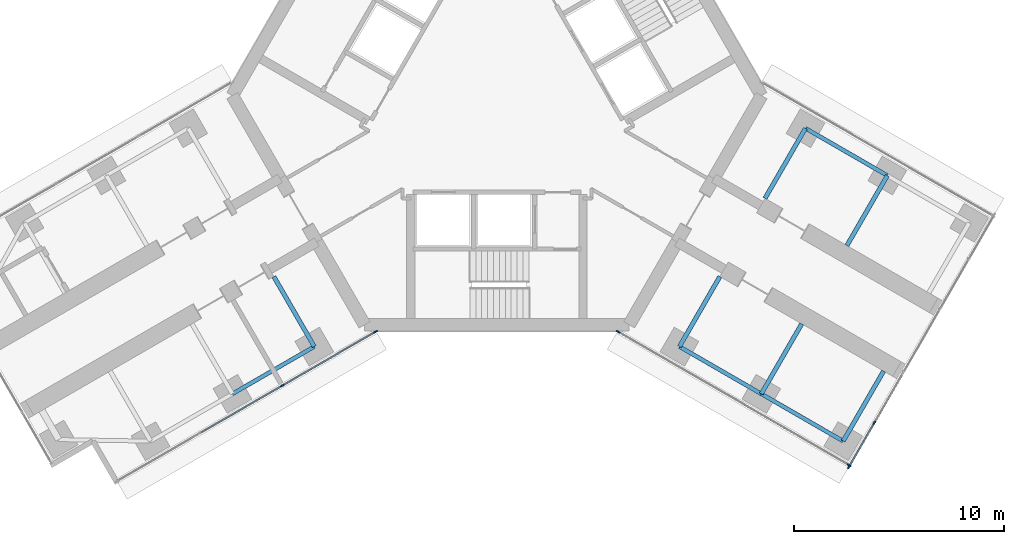
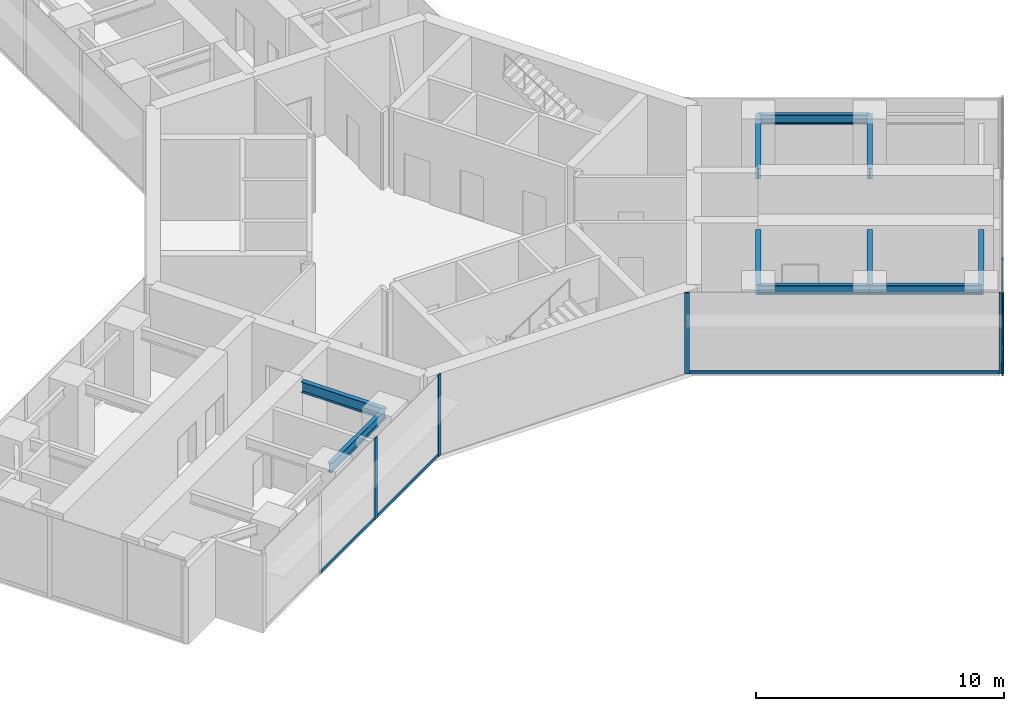
# One storey, part 8 of 21: 11 members, 10 beams, 3 elements without a shape of their own.
"""IFC4 building model written with IfcOpenShell, lengths in metres."""

from ifc_helpers import new_model, si_unit, direction, frame, origin, origin_2d, place, context, subcontext, project, spatial, rectangle, i_section, extrude, material, material_profile, profile_set, type_object, element, aggregate, save


model = new_model("IFC4")

# Units and contexts
model_context = context("Model", 3, precision=1e-05, world=origin(), true_north=direction((0.0, 1.0)))
body_context = subcontext(model_context, "Body", "Model", "MODEL_VIEW")
ifc_project = project(units=[si_unit("LENGTHUNIT", "METRE"), si_unit("AREAUNIT", "SQUARE_METRE"), si_unit("VOLUMEUNIT", "CUBIC_METRE"), si_unit("PLANEANGLEUNIT", "RADIAN"), si_unit("MASSUNIT", "GRAM", prefix="KILO")], contexts=[model_context])

# Site, building, storey
site_placement = place(None, origin())
site = spatial("IfcSite", under=ifc_project, at=site_placement, CompositionType="ELEMENT")
building_placement = place(site_placement, origin())
building = spatial("IfcBuilding", under=site, at=building_placement, Name="Upepo Twin Towers", CompositionType="ELEMENT")
storey_placement = place(building_placement, frame((0.0, 0.0, 101.5)))
storey = spatial("IfcBuildingStorey", under=building, at=storey_placement, Name="L24", CompositionType="ELEMENT", Elevation=101.5)

# Beams
ifc_material_1 = material(Name="Steel S355", Category="steel")
ifc_material_profile_1 = material_profile(ifc_material_1, i_section(OverallWidth=0.1904296875, OverallDepth=0.45703125, WebThickness=0.009033203125, FlangeThickness=0.014404296875, FilletRadius=0.01025390625, at=origin_2d()), Name="UB 457x191x74")
ifc_profile_set_1 = profile_set([ifc_material_profile_1], Name="Steel S355")
beam_type_1 = type_object("IfcBeamType", Name="Beam UB 457x191x74", PredefinedType="BEAM", material=ifc_profile_set_1)
for number, where, z_axis, x_axis, name in (
    (1, (49.80859375, -29.946044921875, 3.571533203125), (-0.866017533419, -0.500013631625, 0.0), (0.500013631625, -0.866017533419, 0.0), "T2 edge beam BL 13.5-18.0"),
    (2, (73.19140625, -19.553955078125, 3.571533203125), (0.866017533419, -0.500013631625, 0.0), (0.500013631625, 0.866017533419, 0.0), "T2 edge beam CL 13.5-18.0"),
    (3, (67.19140625, -29.946044921875, 3.571533203125), (0.866017533419, -0.500013631625, 0.0), (0.500013631625, 0.866017533419, 0.0), "T2 edge beam CR 13.5-18.0"),
):
    element("IfcBeam", number, at=place(storey_placement, frame(where, z_axis=z_axis, x_axis=x_axis)), inside=storey, type_object=beam_type_1, Name=name, PredefinedType="BEAM", context=body_context, shape_type="SweptSolid", body=[
        extrude(i_section(OverallWidth=0.1904296875, OverallDepth=0.45703125, WebThickness=0.009033203125, FlangeThickness=0.014404296875, FilletRadius=0.01025390625, at=origin_2d()), origin(), (0.0, 0.0, 1.0), 4.499755859375),
    ])
beam_1_placement = place(storey_placement, frame((71.08837890625, -32.196044921875, 3.571533203125), z_axis=(0.866031096941, -0.499990139034, 0.0), x_axis=(0.499990139034, 0.866031096941, 0.0)))
element("IfcBeam", 4, at=beam_1_placement, inside=storey, type_object=beam_type_1, Name="T2 edge beam CR 18.0-22.5", PredefinedType="BEAM", context=body_context, shape_type="SweptSolid", body=[
    extrude(i_section(OverallWidth=0.1904296875, OverallDepth=0.45703125, WebThickness=0.009033203125, FlangeThickness=0.014404296875, FilletRadius=0.01025390625, at=origin_2d()), origin(), (0.0, 0.0, 1.0), 4.5),
])
ifc_material_2 = material(Name="Steel S355", Category="steel")
ifc_material_profile_2 = material_profile(ifc_material_2, i_section(OverallWidth=0.209228515625, OverallDepth=0.533203125, WebThickness=0.010009765625, FlangeThickness=0.015625, FilletRadius=0.0126953125, at=origin_2d()), Name="UB 533x210x92")
ifc_profile_set_2 = profile_set([ifc_material_profile_2], Name="Steel S355")
beam_type_2 = type_object("IfcBeamType", Name="Beam UB 533x210x92", PredefinedType="BEAM", material=ifc_profile_set_2)
for number, where, z_axis, x_axis, name in (
    (5, (49.80859375, -29.946044921875, 3.533447265625), (-0.500033517596, 0.866006051527, 0.0), (-0.866006051527, -0.500033517596, 0.0), "T2 girder BL at 13.5"),
    (6, (73.19140625, -19.553955078125, 3.533447265625), (-0.500033517596, -0.866006051527, 0.0), (0.866006051527, -0.500033517596, 0.0), "T2 girder CL at 13.5"),
):
    element("IfcBeam", number, at=place(storey_placement, frame(where, z_axis=z_axis, x_axis=x_axis)), inside=storey, type_object=beam_type_2, Name=name, PredefinedType="BEAM", context=body_context, shape_type="SweptSolid", body=[
        extrude(i_section(OverallWidth=0.209228515625, OverallDepth=0.533203125, WebThickness=0.010009765625, FlangeThickness=0.015625, FilletRadius=0.0126953125, at=origin_2d()), origin(), (0.0, 0.0, 1.0), 3.849853515625),
    ])
beam_2_placement = place(storey_placement, frame((77.08837890625, -21.803955078125, 3.533447265625), z_axis=(-0.499985955615, -0.866033512162, 0.0), x_axis=(0.866033512162, -0.499985955615, 0.0)))
element("IfcBeam", 7, at=beam_2_placement, inside=storey, type_object=beam_type_2, Name="T2 girder CL at 18.0", PredefinedType="BEAM", context=body_context, shape_type="SweptSolid", body=[
    extrude(i_section(OverallWidth=0.209228515625, OverallDepth=0.533203125, WebThickness=0.010009765625, FlangeThickness=0.015625, FilletRadius=0.0126953125, at=origin_2d()), origin(), (0.0, 0.0, 1.0), 3.849609375),
])
for number, where, z_axis, x_axis, name in (
    (8, (67.19140625, -29.946044921875, 3.533447265625), (0.500033517596, 0.866006051527, 0.0), (-0.866006051527, 0.500033517596, 0.0), "T2 girder CR at 13.5"),
    (9, (71.08837890625, -32.196044921875, 3.533447265625), (0.500033517596, 0.866006051527, 0.0), (-0.866006051527, 0.500033517596, 0.0), "T2 girder CR at 18.0"),
    (10, (74.985595703125, -34.446044921875, 3.533447265625), (0.500033517596, 0.866006051527, 0.0), (-0.866006051527, 0.500033517596, 0.0), "T2 girder CR at 22.5"),
):
    element("IfcBeam", number, at=place(storey_placement, frame(where, z_axis=z_axis, x_axis=x_axis)), inside=storey, type_object=beam_type_2, Name=name, PredefinedType="BEAM", context=body_context, shape_type="SweptSolid", body=[
        extrude(i_section(OverallWidth=0.209228515625, OverallDepth=0.533203125, WebThickness=0.010009765625, FlangeThickness=0.015625, FilletRadius=0.0126953125, at=origin_2d()), origin(), (0.0, 0.0, 1.0), 3.849853515625),
    ])

# Curtain wall, members
ifc_material_3 = material(Name="Aluminium and fritted glass", Category="aluminium")
curtain_wall_type = type_object("IfcCurtainWallType", Name="Tower curtain wall TW2, fritted glass", PredefinedType="NOTDEFINED", material=ifc_material_3)
curtain_wall_1_placement = place(storey_placement, origin())
curtain_wall_1 = element("IfcCurtainWall", 11, at=curtain_wall_1_placement, inside=storey, type_object=curtain_wall_type, Name="T2 L24 wing B flank L curtain wall", PredefinedType="NOTDEFINED")
ifc_material_4 = material(Name="Aluminium mullion", Category="aluminium")
ifc_material_profile_3 = material_profile(ifc_material_4, rectangle(XDim=0.06494140625, YDim=0.199951171875, at=origin_2d()), Name="MULLION 65x200")
ifc_profile_set_3 = profile_set([ifc_material_profile_3], Name="Aluminium mullion")
member_type_1 = type_object("IfcMemberType", Name="Mullion 65x200 TW2", PredefinedType="MULLION", material=ifc_profile_set_3)
member_1_placement = place(storey_placement, frame((52.72802734375, -29.2421875, 0.0), z_axis=(0.0, 0.0, 1.0), x_axis=(0.500000010308, -0.866025397833, 0.0)))
member_1 = element("IfcMember", 12, at=member_1_placement, type_object=member_type_1, Name="T2 L24 wing B flank L curtain wall mullion 1", PredefinedType="MULLION", context=body_context, shape_type="SweptSolid", body=[
    extrude(rectangle(XDim=0.06494140625, YDim=0.199951171875, at=origin_2d()), origin(), (0.0, 0.0, 1.0), 4.0),
])
member_2_placement = place(storey_placement, frame((48.28515625, -31.807373046875, 0.0), z_axis=(0.0, 0.0, 1.0), x_axis=(0.500000010308, -0.866025397833, 0.0)))
member_2 = element("IfcMember", 13, at=member_2_placement, type_object=member_type_1, Name="T2 L24 wing B flank L curtain wall mullion 2", PredefinedType="MULLION", context=body_context, shape_type="SweptSolid", body=[
    extrude(rectangle(XDim=0.06494140625, YDim=0.199951171875, at=origin_2d()), origin(), (0.0, 0.0, 1.0), 4.0),
])

curtain_wall_2_placement = place(storey_placement, origin())
curtain_wall_2 = element("IfcCurtainWall", 14, at=curtain_wall_2_placement, inside=storey, type_object=curtain_wall_type, Name="T2 L24 wing C flank R curtain wall", PredefinedType="NOTDEFINED")
member_3_placement = place(storey_placement, frame((75.2685546875, -35.591064453125, 0.0), z_axis=(0.0, 0.0, 1.0), x_axis=(-0.50000000792, -0.866025399212, 0.0)))
member_3 = element("IfcMember", 15, at=member_3_placement, type_object=member_type_1, Name="T2 L24 wing C flank R curtain wall mullion 1", PredefinedType="MULLION", context=body_context, shape_type="SweptSolid", body=[
    extrude(rectangle(XDim=0.06494140625, YDim=0.199951171875, at=origin_2d()), origin(), (0.0, 0.0, 1.0), 4.0),
])
member_4_placement = place(storey_placement, frame((64.27197265625, -29.2421875, 0.0), z_axis=(0.0, 0.0, 1.0), x_axis=(-0.50000000792, -0.866025399212, 0.0)))
member_4 = element("IfcMember", 16, at=member_4_placement, type_object=member_type_1, Name="T2 L24 wing C flank R curtain wall mullion 2", PredefinedType="MULLION", context=body_context, shape_type="SweptSolid", body=[
    extrude(rectangle(XDim=0.06494140625, YDim=0.199951171875, at=origin_2d()), origin(), (0.0, 0.0, 1.0), 4.0),
])

curtain_wall_3_placement = place(storey_placement, origin())
curtain_wall_3 = element("IfcCurtainWall", 17, at=curtain_wall_3_placement, inside=storey, type_object=curtain_wall_type, Name="T2 L24 wing C nose curtain wall", PredefinedType="NOTDEFINED")
member_5_placement = place(storey_placement, frame((75.262939453125, -35.665771484375, 0.0), z_axis=(0.0, 0.0, 1.0), x_axis=(-0.866025419745, 0.499999972355, 0.0)))
member_5 = element("IfcMember", 18, at=member_5_placement, type_object=member_type_1, Name="T2 L24 wing C nose curtain wall mullion 1", PredefinedType="MULLION", context=body_context, shape_type="SweptSolid", body=[
    extrude(rectangle(XDim=0.06494140625, YDim=0.199951171875, at=origin_2d()), origin(), (0.0, 0.0, 1.0), 4.0),
])
member_6_placement = place(storey_placement, frame((76.4716796875, -33.572021484375, 0.0), z_axis=(0.0, 0.0, 1.0), x_axis=(-0.866025419745, 0.499999972355, 0.0)))
member_6 = element("IfcMember", 19, at=member_6_placement, type_object=member_type_1, Name="T2 L24 wing C nose curtain wall mullion 2", PredefinedType="MULLION", context=body_context, shape_type="SweptSolid", body=[
    extrude(rectangle(XDim=0.06494140625, YDim=0.199951171875, at=origin_2d()), origin(), (0.0, 0.0, 1.0), 4.0),
])

# Member
ifc_material_5 = material(Name="Aluminium transom", Category="aluminium")
ifc_material_profile_4 = material_profile(ifc_material_5, rectangle(XDim=0.06494140625, YDim=0.14990234375, at=origin_2d()), Name="TRANSOM 65x150")
ifc_profile_set_4 = profile_set([ifc_material_profile_4], Name="Aluminium transom")
member_type_2 = type_object("IfcMemberType", Name="Transom 65x150 TW2", PredefinedType="USERDEFINED", material=ifc_profile_set_4)
member_7_placement = place(storey_placement, frame((52.699951171875, -29.25830078125, 0.074951171875), z_axis=(-0.866021848223, -0.500006158363, 0.0), x_axis=(0.500006158363, -0.866021848223, 0.0)))
member_7 = element("IfcMember", 20, at=member_7_placement, type_object=member_type_2, Name="T2 L24 wing B flank L curtain wall transom 1", ObjectType="TRANSOM", PredefinedType="USERDEFINED", context=body_context, shape_type="SweptSolid", body=[
    extrude(rectangle(XDim=0.06494140625, YDim=0.14990234375, at=origin_2d()), origin(), (0.0, 0.0, 1.0), 5.0654296875),
])

member_8_placement = place(storey_placement, frame((48.2568359375, -31.823486328125, 0.074951171875), z_axis=(-0.866022410713, -0.500005184116, 0.0), x_axis=(0.500005184116, -0.866022410713, 0.0)))
member_8 = element("IfcMember", 21, at=member_8_placement, type_object=member_type_2, Name="T2 L24 wing B flank L curtain wall transom 2", ObjectType="TRANSOM", PredefinedType="USERDEFINED", context=body_context, shape_type="SweptSolid", body=[
    extrude(rectangle(XDim=0.06494140625, YDim=0.14990234375, at=origin_2d()), origin(), (0.0, 0.0, 1.0), 4.43505859375),
])

aggregate(curtain_wall_1, [member_1, member_2, member_7, member_8])

member_9_placement = place(storey_placement, frame((75.240478515625, -35.57470703125, 0.074951171875), z_axis=(-0.866027247007, 0.499996807431, 0.0), x_axis=(-0.499996807431, -0.866027247007, 0.0)))
member_9 = element("IfcMember", 22, at=member_9_placement, type_object=member_type_2, Name="T2 L24 wing C flank R curtain wall transom 1", ObjectType="TRANSOM", PredefinedType="USERDEFINED", context=body_context, shape_type="SweptSolid", body=[
    extrude(rectangle(XDim=0.06494140625, YDim=0.14990234375, at=origin_2d()), origin(), (0.0, 0.0, 1.0), 12.6328125),
])

aggregate(curtain_wall_2, [member_3, member_4, member_9])

member_10_placement = place(storey_placement, frame((75.279296875, -35.6376953125, 0.074951171875), z_axis=(0.499923095048, 0.866069800327, 0.0), x_axis=(-0.866069800327, 0.499923095048, 0.0)))
member_10 = element("IfcMember", 23, at=member_10_placement, type_object=member_type_2, Name="T2 L24 wing C nose curtain wall transom 1", ObjectType="TRANSOM", PredefinedType="USERDEFINED", context=body_context, shape_type="SweptSolid", body=[
    extrude(rectangle(XDim=0.06494140625, YDim=0.14990234375, at=origin_2d()), origin(), (0.0, 0.0, 1.0), 2.352294921875),
])

member_11_placement = place(storey_placement, frame((76.488037109375, -33.5439453125, 0.074951171875), z_axis=(0.49995335277, 0.8660523339, 0.0), x_axis=(-0.8660523339, 0.49995335277, 0.0)))
member_11 = element("IfcMember", 24, at=member_11_placement, type_object=member_type_2, Name="T2 L24 wing C nose curtain wall transom 2", ObjectType="TRANSOM", PredefinedType="USERDEFINED", context=body_context, shape_type="SweptSolid", body=[
    extrude(rectangle(XDim=0.06494140625, YDim=0.14990234375, at=origin_2d()), origin(), (0.0, 0.0, 1.0), 2.684814453125),
])

aggregate(curtain_wall_3, [member_5, member_6, member_10, member_11])

save(model, "model.ifc")
